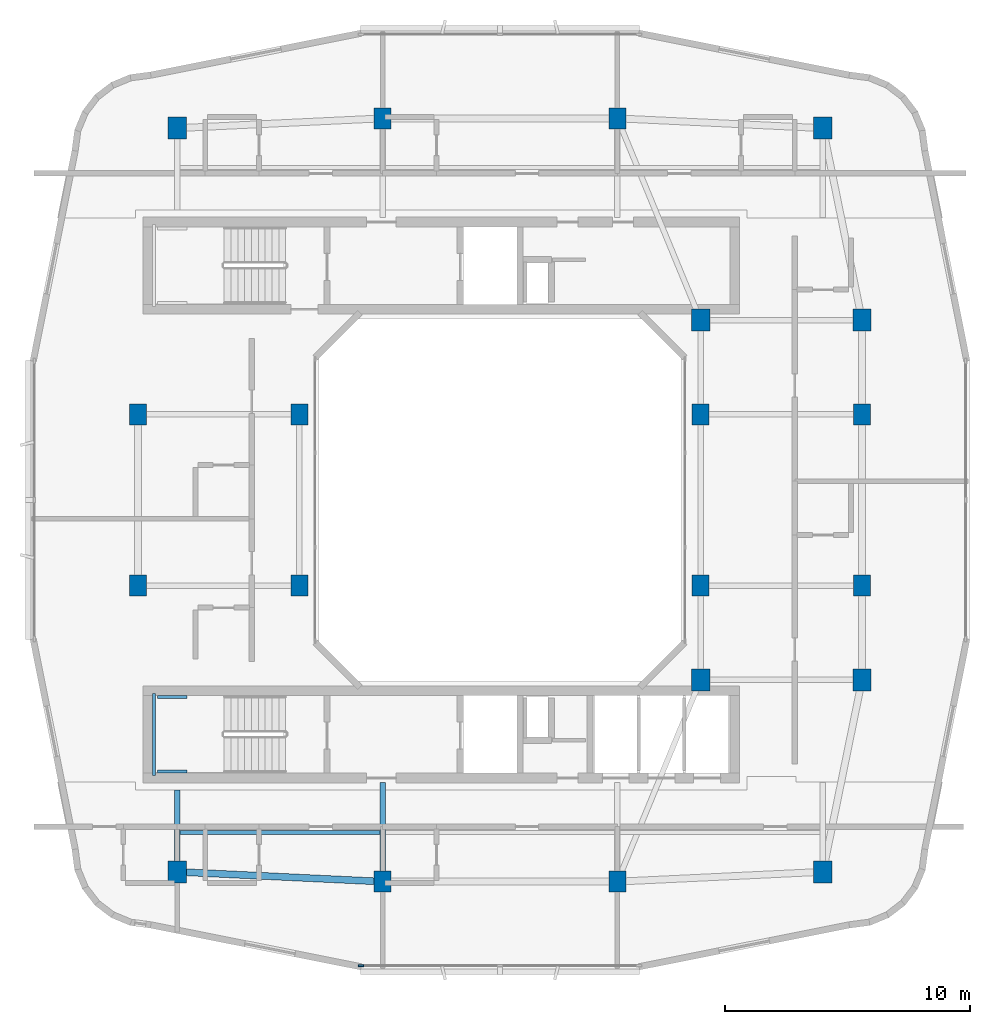
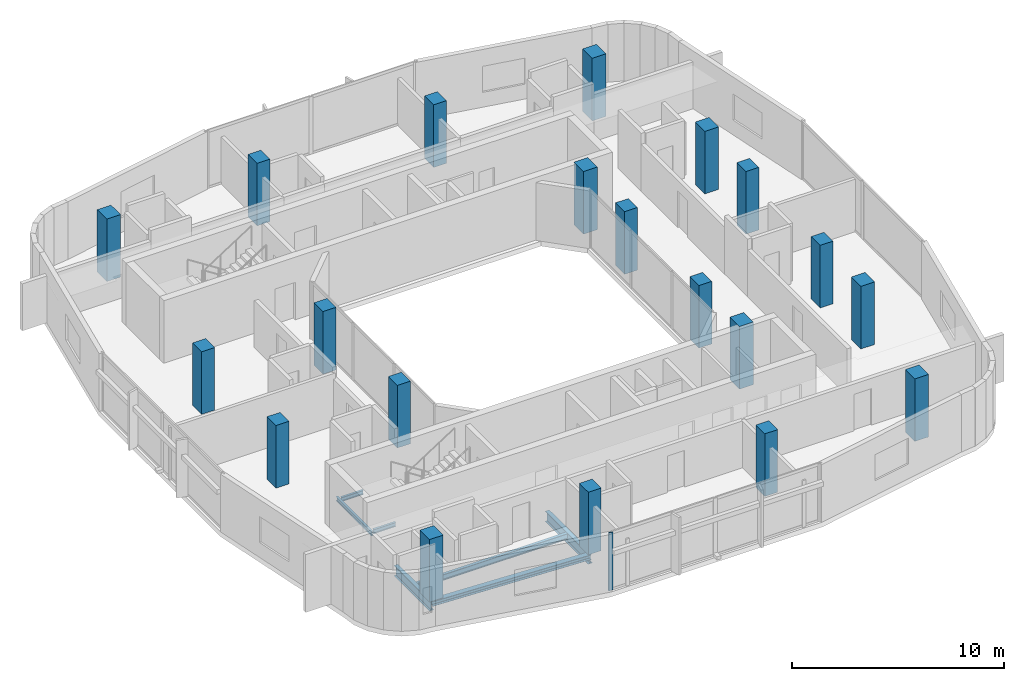
# One storey, part 1 of 14: 20 columns, 7 beams, 1 member, 1 element without a shape of its own.
"""IFC4 building model written with IfcOpenShell, lengths in metres."""

from ifc_helpers import new_model, si_unit, derived_unit, direction, frame, origin, origin_2d, place, context, subcontext, project, spatial, rectangle, i_section, extrude, material, layer, layer_set, material_profile, profile_set, type_object, element, aggregate, save


model = new_model("IFC4")

# Units and contexts
model_context = context("Model", 3, precision=1e-05, world=origin(), true_north=direction((0.0, 1.0)))
body_context = subcontext(model_context, "Body", "Model", "MODEL_VIEW")
ifc_project = project(units=[si_unit("LENGTHUNIT", "METRE"), si_unit("AREAUNIT", "SQUARE_METRE"), si_unit("VOLUMEUNIT", "CUBIC_METRE"), si_unit("PLANEANGLEUNIT", "RADIAN"), si_unit("MASSUNIT", "GRAM", prefix="KILO"), derived_unit("THERMALTRANSMITTANCEUNIT", [(si_unit("POWERUNIT", "WATT"), 1), (si_unit("LENGTHUNIT", "METRE"), -2), (si_unit("THERMODYNAMICTEMPERATUREUNIT", "KELVIN"), -1)])], contexts=[model_context])

# Site, building, storey
site_placement = place(None, origin())
site = spatial("IfcSite", under=ifc_project, at=site_placement, CompositionType="ELEMENT")
building_placement = place(site_placement, origin())
building = spatial("IfcBuilding", under=site, at=building_placement, Name="Kivonza Crest Hotel", CompositionType="ELEMENT")
storey_placement = place(building_placement, frame((0.0, 0.0, 217.10009765625)))
storey = spatial("IfcBuildingStorey", under=building, at=storey_placement, Name="L59", CompositionType="ELEMENT", Elevation=217.10009765625)

# Columns
ifc_material_1 = material(Name="Concrete C50/60", Category="concrete")
ifc_material_profile_1 = material_profile(ifc_material_1, rectangle(XDim=0.699951171875, YDim=0.85009765625, at=origin_2d()), Name="RC 850x700")
ifc_profile_set_1 = profile_set([ifc_material_profile_1], Name="Concrete C50/60")
column_type_1 = type_object("IfcColumnType", Name="CL-RC-850x700", PredefinedType="COLUMN", material=ifc_profile_set_1)
for number, where, z_axis, x_axis, name in (
    (1, (16.199951171875, 9.39990234375, 0.0), (0.0, 0.0, 1.0), (1.0, 0.0, 0.0), "Tower T1 L59 column S1"),
    (2, (25.800048828125, 9.39990234375, 0.0), (0.0, 0.0, 1.0), (1.0, 0.0, 0.0), "Tower T1 L59 column S2"),
    (3, (16.199951171875, 40.60009765625, 0.0), (0.0, 0.0, 1.0), (1.0, 0.0, 0.0), "Tower T1 L59 column N1"),
    (4, (25.800048828125, 40.60009765625, 0.0), (0.0, 0.0, 1.0), (1.0, 0.0, 0.0), "Tower T1 L59 column N2"),
    (5, (6.199951171875, 21.5, 0.0), (0.0, 0.0, 1.0), (1.0, 0.0, 0.0), "Tower T1 L59 column W1"),
    (6, (6.199951171875, 28.5, 0.0), (0.0, 0.0, 1.0), (1.0, 0.0, 0.0), "Tower T1 L59 column W2"),
    (7, (35.800048828125, 21.5, 0.0), (0.0, 0.0, 1.0), (1.0, 0.0, 0.0), "Tower T1 L59 column E1"),
    (8, (35.800048828125, 28.5, 0.0), (0.0, 0.0, 1.0), (1.0, 0.0, 0.0), "Tower T1 L59 column E2"),
    (9, (12.800048828125, 21.5, 0.0), (0.0, 0.0, 1.0), (1.0, 0.0, 0.0), "Tower T1 L59 column WL1"),
    (10, (12.800048828125, 28.5, 0.0), (0.0, 0.0, 1.0), (1.0, 0.0, 0.0), "Tower T1 L59 column WL2"),
    (11, (29.199951171875, 21.5, 0.0), (0.0, 0.0, 1.0), (1.0, 0.0, 0.0), "Tower T1 L59 column WR1"),
    (12, (29.199951171875, 28.5, 0.0), (0.0, 0.0, 1.0), (1.0, 0.0, 0.0), "Tower T1 L59 column WR2"),
):
    element("IfcColumn", number, at=place(storey_placement, frame(where, z_axis=z_axis, x_axis=x_axis)), inside=storey, type_object=column_type_1, Name=name, PredefinedType="COLUMN", context=body_context, shape_type="SweptSolid", body=[
        extrude(rectangle(XDim=0.699951171875, YDim=0.85009765625, at=origin_2d()), origin(), (0.0, 0.0, 1.0), 3.599853515625),
    ])
ifc_material_profile_2 = material_profile(ifc_material_1, rectangle(XDim=0.75, YDim=0.89990234375, at=origin_2d()), Name="RC 900x750")
ifc_profile_set_2 = profile_set([ifc_material_profile_2], Name="Concrete C50/60")
column_type_2 = type_object("IfcColumnType", Name="CL-RC-900x750", PredefinedType="COLUMN", material=ifc_profile_set_2)
for number, where, z_axis, x_axis, name in (
    (13, (7.800048828125, 9.800048828125, 0.0), (0.0, 0.0, 1.0), (1.0, 0.0, 0.0), "Tower T1 L59 column SW"),
    (14, (34.199951171875, 9.800048828125, 0.0), (0.0, 0.0, 1.0), (1.0, 0.0, 0.0), "Tower T1 L59 column SE"),
    (15, (34.199951171875, 40.199951171875, 0.0), (0.0, 0.0, 1.0), (1.0, 0.0, 0.0), "Tower T1 L59 column NE"),
    (16, (7.800048828125, 40.199951171875, 0.0), (0.0, 0.0, 1.0), (1.0, 0.0, 0.0), "Tower T1 L59 column NW"),
    (17, (35.800048828125, 17.64990234375, 0.0), (0.0, 0.0, 1.0), (1.0, 0.0, 0.0), "Tower T1 L59 column PSE"),
    (18, (35.800048828125, 32.35009765625, 0.0), (0.0, 0.0, 1.0), (1.0, 0.0, 0.0), "Tower T1 L59 column PNE"),
    (19, (29.199951171875, 17.64990234375, 0.0), (0.0, 0.0, 1.0), (1.0, 0.0, 0.0), "Tower T1 L59 column TSE"),
    (20, (29.199951171875, 32.35009765625, 0.0), (0.0, 0.0, 1.0), (1.0, 0.0, 0.0), "Tower T1 L59 column TNE"),
):
    element("IfcColumn", number, at=place(storey_placement, frame(where, z_axis=z_axis, x_axis=x_axis)), inside=storey, type_object=column_type_2, Name=name, PredefinedType="COLUMN", context=body_context, shape_type="SweptSolid", body=[
        extrude(rectangle(XDim=0.75, YDim=0.89990234375, at=origin_2d()), origin(), (0.0, 0.0, 1.0), 3.599853515625),
    ])

# Beams
ifc_material_2 = material(Name="Steel S355", Category="steel")
ifc_material_profile_3 = material_profile(ifc_material_2, i_section(OverallWidth=0.280029296875, OverallDepth=0.280029296875, WebThickness=0.010498046875, FlangeThickness=0.01806640625, FilletRadius=0.02392578125, at=origin_2d()), Name="HEB 280")
ifc_profile_set_3 = profile_set([ifc_material_profile_3], Name="Steel S355")
beam_type_1 = type_object("IfcBeamType", Name="BM-HEB280", PredefinedType="SPANDREL", material=ifc_profile_set_3)
beam_1_placement = place(storey_placement, frame((7.800048828125, 9.800048828125, -0.420166015625), z_axis=(0.998867283688, -0.047583080799, 0.0), x_axis=(0.047583080799, 0.998867283688, 0.0)))
element("IfcBeam", 21, at=beam_1_placement, inside=storey, type_object=beam_type_1, Name="Tower T1 L59 perimeter spandrel SW-S1", PredefinedType="SPANDREL", context=body_context, shape_type="SweptSolid", body=[
    extrude(i_section(OverallWidth=0.280029296875, OverallDepth=0.280029296875, WebThickness=0.010498046875, FlangeThickness=0.01806640625, FilletRadius=0.02392578125, at=origin_2d()), origin(), (0.0, 0.0, 1.0), 8.409423828125),
])
ifc_material_profile_4 = material_profile(ifc_material_2, i_section(OverallWidth=0.159912109375, OverallDepth=0.330078125, WebThickness=0.007568359375, FlangeThickness=0.011474609375, FilletRadius=0.01806640625, at=origin_2d()), Name="IPE 330")
ifc_profile_set_4 = profile_set([ifc_material_profile_4], Name="Steel S355")
beam_type_2 = type_object("IfcBeamType", Name="BM-IPE330", PredefinedType="JOIST", material=ifc_profile_set_4)
beam_2_placement = place(storey_placement, frame((7.8798828125, 11.39990234375, -0.445068359375), z_axis=(1.0, 0.0, 0.0), x_axis=(0.0, 1.0, 0.0)))
element("IfcBeam", 22, at=beam_2_placement, inside=storey, type_object=beam_type_2, Name="Tower T1 L59 South-West floor joist", PredefinedType="JOIST", context=body_context, shape_type="SweptSolid", body=[
    extrude(i_section(OverallWidth=0.159912109375, OverallDepth=0.330078125, WebThickness=0.007568359375, FlangeThickness=0.011474609375, FilletRadius=0.01806640625, at=origin_2d()), origin(), (0.0, 0.0, 1.0), 8.240234375),
])
ifc_material_profile_5 = material_profile(ifc_material_2, i_section(OverallWidth=0.219970703125, OverallDepth=0.60009765625, WebThickness=0.011962890625, FlangeThickness=0.01904296875, FilletRadius=0.02392578125, at=origin_2d()), Name="IPE 600")
ifc_profile_set_5 = profile_set([ifc_material_profile_5], Name="Steel S355")
beam_type_3 = type_object("IfcBeamType", Name="BM-IPE600", PredefinedType="BEAM", material=ifc_profile_set_5)
beam_3_placement = place(storey_placement, frame((7.800048828125, 9.800048828125, -0.580078125), z_axis=(0.0, 1.0, 0.0), x_axis=(-1.0, 0.0, 0.0)))
element("IfcBeam", 23, at=beam_3_placement, inside=storey, type_object=beam_type_3, Name="Tower T1 L59 radial core girder RSW", PredefinedType="BEAM", context=body_context, shape_type="SweptSolid", body=[
    extrude(i_section(OverallWidth=0.219970703125, OverallDepth=0.60009765625, WebThickness=0.011962890625, FlangeThickness=0.01904296875, FilletRadius=0.02392578125, at=origin_2d()), origin(), (0.0, 0.0, 1.0), 3.349853515625),
])
beam_4_placement = place(storey_placement, frame((16.199951171875, 9.39990234375, -0.580078125), z_axis=(0.0, 1.0, 0.0), x_axis=(-1.0, 0.0, 0.0)))
element("IfcBeam", 24, at=beam_4_placement, inside=storey, type_object=beam_type_3, Name="Tower T1 L59 radial core girder RS1", PredefinedType="BEAM", context=body_context, shape_type="SweptSolid", body=[
    extrude(i_section(OverallWidth=0.219970703125, OverallDepth=0.60009765625, WebThickness=0.011962890625, FlangeThickness=0.01904296875, FilletRadius=0.02392578125, at=origin_2d()), origin(), (0.0, 0.0, 1.0), 4.050048828125),
])
ifc_material_profile_6 = material_profile(ifc_material_2, i_section(OverallWidth=0.1201171875, OverallDepth=0.239990234375, WebThickness=0.006103515625, FlangeThickness=0.009765625, FilletRadius=0.014892578125, at=origin_2d()), Name="IPE 240")
ifc_profile_set_6 = profile_set([ifc_material_profile_6], Name="Steel S355")
beam_type_4 = type_object("IfcBeamType", Name="BM-LLDG-240", PredefinedType="BEAM", material=ifc_profile_set_6)
beam_5_placement = place(storey_placement, frame((6.860107421875, 13.739990234375, 1.47998046875), z_axis=(0.0, 1.0, 0.0), x_axis=(-1.0, 0.0, 0.0)))
element("IfcBeam", 25, at=beam_5_placement, inside=storey, type_object=beam_type_4, Name="Stair ST-T1-S L59 West landing corbel", PredefinedType="BEAM", context=body_context, shape_type="SweptSolid", body=[
    extrude(i_section(OverallWidth=0.1201171875, OverallDepth=0.239990234375, WebThickness=0.006103515625, FlangeThickness=0.009765625, FilletRadius=0.014892578125, at=origin_2d()), origin(), (0.0, 0.0, 1.0), 3.360107421875),
])
for number, where, z_axis, x_axis, name in (
    (26, (6.989990234375, 13.89990234375, 1.47998046875), (1.0, 0.0, 0.0), (0.0, 1.0, 0.0), "Stair ST-T1-S L59 South landing corbel"),
    (27, (6.989990234375, 16.93994140625, 1.47998046875), (1.0, 0.0, 0.0), (0.0, 1.0, 0.0), "Stair ST-T1-S L59 North landing corbel"),
):
    element("IfcBeam", number, at=place(storey_placement, frame(where, z_axis=z_axis, x_axis=x_axis)), inside=storey, type_object=beam_type_4, Name=name, PredefinedType="BEAM", context=body_context, shape_type="SweptSolid", body=[
        extrude(i_section(OverallWidth=0.1201171875, OverallDepth=0.239990234375, WebThickness=0.006103515625, FlangeThickness=0.009765625, FilletRadius=0.014892578125, at=origin_2d()), origin(), (0.0, 0.0, 1.0), 1.2099609375),
    ])

# Curtain wall, member
ifc_material_3 = material(Name="Anodised bronze aluminium and low-E double glazing", Category="aluminium")
ifc_layer = layer(ifc_material_3, 0.179931640625)
ifc_layer_set = layer_set([ifc_layer], Name="Anodised bronze aluminium and low-E double glazing")
curtain_wall_type = type_object("IfcCurtainWallType", Name="CW-SYS-3", PredefinedType="NOTDEFINED", material=ifc_layer_set)
curtain_wall_placement = place(storey_placement, origin())
curtain_wall = element("IfcCurtainWall", 28, at=curtain_wall_placement, inside=storey, type_object=curtain_wall_type, Name="L59 unitised curtain wall CW-T1-L59-08", PredefinedType="NOTDEFINED")
ifc_material_4 = material(Name="Anodised bronze aluminium", Category="aluminium")
ifc_material_profile_7 = material_profile(ifc_material_4, rectangle(XDim=0.074951171875, YDim=0.219970703125, at=origin_2d()), Name="CW-M 75x220")
ifc_profile_set_7 = profile_set([ifc_material_profile_7], Name="Anodised bronze aluminium")
member_type = type_object("IfcMemberType", Name="CW-MUL-75x220", PredefinedType="MULLION", material=ifc_profile_set_7)
member_placement = place(storey_placement, frame((15.3173828125, 5.9599609375, 0.0), z_axis=(0.0, 0.0, 1.0), x_axis=(0.0, 1.0, 0.0)))
member = element("IfcMember", 29, at=member_placement, type_object=member_type, Name="CW-3 mullion 1", PredefinedType="MULLION", context=body_context, shape_type="SweptSolid", body=[
    extrude(rectangle(XDim=0.074951171875, YDim=0.219970703125, at=origin_2d()), origin(), (0.0, 0.0, 1.0), 3.31982421875),
])
aggregate(curtain_wall, [member])

save(model, "model.ifc")
